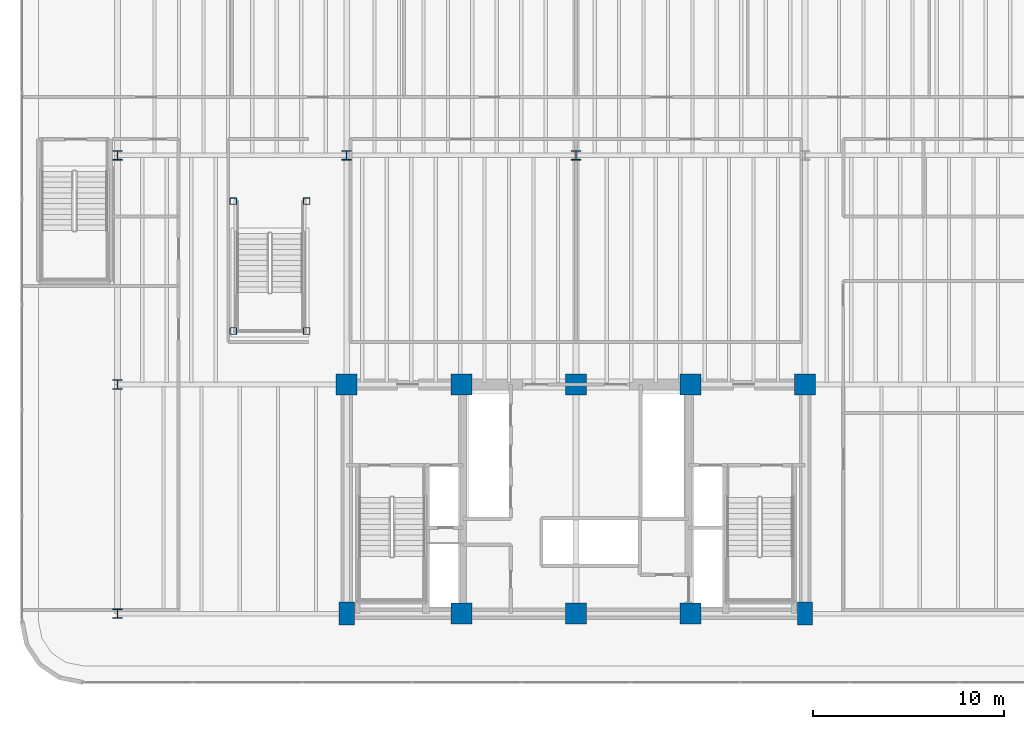
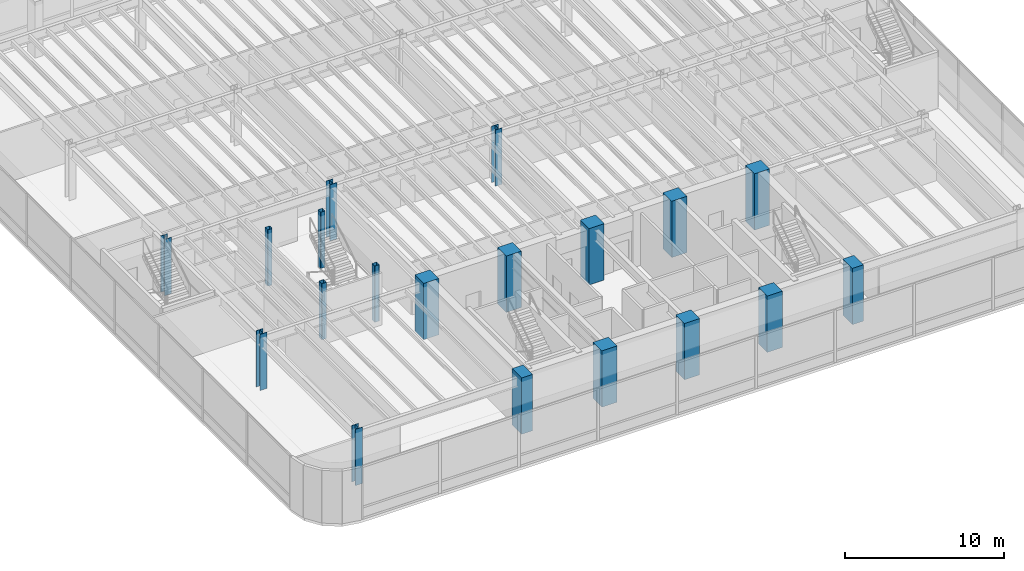
# One storey, part 1 of 18: 19 columns.
"""IFC4 building model written with IfcOpenShell, lengths in metres."""

import ifcopenshell
import ifcopenshell.guid

model = None  # the IFC model being written
_history = None  # IfcOwnerHistory: only IFC2X3 demands one
_inside = {}  # id of a spatial element -> (the spatial element, [elements in it])
_under = {}  # id of a project, library or spatial element -> (it, [spatial elements below it])
_declared = {}  # id of a project -> (the project, [libraries it declares])
_typed = {}  # id of a type object -> (the type object, [elements of that type])
_made_of = {}  # id of a material, layer set ... -> (it, [elements and type objects made of it])


def new_model(schema):
    """Start an empty IFC model of exactly this schema.

    Asked for "IFC4X3", IfcOpenShell would pick the latest addendum, in which some entities
    have other attributes; the version numbers below select the first issue.
    IFC2X3 requires an IfcOwnerHistory on every rooted entity: one is made here for all.
    """
    global model, _history
    if schema == "IFC4X3":
        model = ifcopenshell.file(schema_version=(4, 3, 0, 0))
    else:
        model = ifcopenshell.file(schema=schema)
    _inside.clear()
    _under.clear()
    _declared.clear()
    _typed.clear()
    _made_of.clear()
    _history = None
    if model.schema == "IFC2X3":
        org = make("IfcOrganization", Name="unknown")
        user = make(
            "IfcPersonAndOrganization",
            ThePerson=make("IfcPerson", FamilyName="unknown"),
            TheOrganization=org,
        )
        app = make(
            "IfcApplication",
            ApplicationDeveloper=org,
            Version="unknown",
            ApplicationFullName="unknown",
            ApplicationIdentifier="unknown",
        )
        _history = make(
            "IfcOwnerHistory",
            OwningUser=user,
            OwningApplication=app,
            ChangeAction="ADDED",
            CreationDate=0,
        )
    return model


def make(cls, **values):
    """One entity of the class cls with the attributes given. An attribute that is None is left unset."""
    return model.create_entity(
        cls, **{name: value for name, value in values.items() if value is not None}
    )


def rooted(cls, **values):
    """An entity with a GlobalId (a new one), such as an element, a storey or a relation."""
    return make(cls, GlobalId=ifcopenshell.guid.new(), OwnerHistory=_history, **values)


def si_unit(unit_type, name, prefix=None):
    """IfcSIUnit, for example si_unit("LENGTHUNIT", "METRE", prefix="MILLI")."""
    return make("IfcSIUnit", UnitType=unit_type, Prefix=prefix, Name=name)


def assignment(units):
    """IfcUnitAssignment: the units of a project."""
    return None if units is None else make("IfcUnitAssignment", Units=units)


def point(xyz):
    """IfcCartesianPoint."""
    return None if xyz is None else make("IfcCartesianPoint", Coordinates=xyz)


def direction(xyz):
    """IfcDirection."""
    return None if xyz is None else make("IfcDirection", DirectionRatios=xyz)


def frame(location, z_axis=None, x_axis=None):
    """IfcAxis2Placement3D, a coordinate frame: its origin and axes. An axis left out is left unset."""
    return make(
        "IfcAxis2Placement3D",
        Location=point(location),
        Axis=direction(z_axis),
        RefDirection=direction(x_axis),
    )


def frame_2d(location, x_axis=None):
    """IfcAxis2Placement2D, a coordinate frame in the plane: its origin and x axis."""
    return make(
        "IfcAxis2Placement2D", Location=point(location), RefDirection=direction(x_axis)
    )


def origin():
    """The frame at (0, 0, 0) with its axes left unset."""
    return frame((0.0, 0.0, 0.0))


def origin_2d():
    """The frame at (0, 0) in the plane with its x axis left unset."""
    return frame_2d((0.0, 0.0))


def place(relative_to, where):
    """IfcLocalPlacement: puts the frame where relative to a parent placement (None: the world)."""
    return make(
        "IfcLocalPlacement", PlacementRelTo=relative_to, RelativePlacement=where
    )


def context(
    kind, dimensions, precision=None, world=None, true_north=None, identifier=None
):
    """IfcGeometricRepresentationContext, for example the 3D "Model" context."""
    return make(
        "IfcGeometricRepresentationContext",
        ContextIdentifier=identifier,
        ContextType=kind,
        CoordinateSpaceDimension=dimensions,
        Precision=precision,
        WorldCoordinateSystem=world,
        TrueNorth=true_north,
    )


def subcontext(parent, identifier, kind, view, scale=None):
    """IfcGeometricRepresentationSubContext, for example "Body" below "Model"."""
    return make(
        "IfcGeometricRepresentationSubContext",
        ContextIdentifier=identifier,
        ContextType=kind,
        ParentContext=parent,
        TargetScale=scale,
        TargetView=view,
    )


def project(units=None, contexts=None):
    """IfcProject with its units and contexts."""
    return rooted(
        "IfcProject",
        Name="project",
        RepresentationContexts=contexts,
        UnitsInContext=assignment(units),
    )


def spatial(cls, under=None, at=None, **own):
    """A site, building, storey or space (cls), placed at a placement, below another one or the project."""
    s = rooted(cls, ObjectPlacement=at, **own)
    if under is not None:
        _under.setdefault(under.id(), (under, []))[1].append(s)
    return s


def profile(cls, at=None, kind="AREA", **sizes):
    """A parametric profile (cls). Its sizes go by their IFC names, for example OverallWidth=200.0."""
    return make(cls, ProfileType=kind, Position=at, **sizes)


def rectangle(**sizes):
    """IfcRectangleProfileDef."""
    return profile("IfcRectangleProfileDef", **sizes)


def hollow_rectangle(**sizes):
    """IfcRectangleHollowProfileDef."""
    return profile("IfcRectangleHollowProfileDef", **sizes)


def i_section(**sizes):
    """IfcIShapeProfileDef."""
    return profile("IfcIShapeProfileDef", **sizes)


def extrude(swept, where, along, depth):
    """IfcExtrudedAreaSolid: the profile swept, set in the frame where, extruded along a direction by depth."""
    return make(
        "IfcExtrudedAreaSolid",
        SweptArea=swept,
        Position=where,
        ExtrudedDirection=direction(along),
        Depth=depth,
    )


def shape(context_of_items, identifier, shape_type, items):
    """IfcShapeRepresentation: the items that make up one representation, for example the "Body"."""
    return make(
        "IfcShapeRepresentation",
        ContextOfItems=context_of_items,
        RepresentationIdentifier=identifier,
        RepresentationType=shape_type,
        Items=items,
    )


def source(mapping_origin, context_of_items, identifier, shape_type, items):
    """IfcRepresentationMap: a shape defined once, which mapped items show again and again."""
    return make(
        "IfcRepresentationMap",
        MappingOrigin=mapping_origin,
        MappedRepresentation=shape(context_of_items, identifier, shape_type, items),
    )


def transform(
    local_origin,
    x_axis=None,
    y_axis=None,
    z_axis=None,
    scale=None,
    scale2=None,
    scale3=None,
    uniform=True,
):
    """IfcCartesianTransformationOperator3D, or its non-uniform kind. x_axis, y_axis, z_axis: its Axis1, 2, 3."""
    if uniform:
        return make(
            "IfcCartesianTransformationOperator3D",
            Axis1=direction(x_axis),
            Axis2=direction(y_axis),
            LocalOrigin=point(local_origin),
            Scale=scale,
            Axis3=direction(z_axis),
        )
    return make(
        "IfcCartesianTransformationOperator3DnonUniform",
        Axis1=direction(x_axis),
        Axis2=direction(y_axis),
        LocalOrigin=point(local_origin),
        Scale=scale,
        Axis3=direction(z_axis),
        Scale2=scale2,
        Scale3=scale3,
    )


def mapped(mapping_source, mapping_target):
    """IfcMappedItem: shows the shape of a source again, moved by a transform."""
    return make(
        "IfcMappedItem", MappingSource=mapping_source, MappingTarget=mapping_target
    )


def material(Name=None, Category=None):
    """IfcMaterial."""
    return make("IfcMaterial", Name=Name, Category=Category)


def material_profile(
    of_material, cross_section, Name=None, Category=None, Priority=None
):
    """IfcMaterialProfile: a cross section and its material."""
    return make(
        "IfcMaterialProfile",
        Name=Name,
        Material=of_material,
        Profile=cross_section,
        Priority=Priority,
        Category=Category,
    )


def profile_set(profiles, Name=None, composite=None):
    """IfcMaterialProfileSet."""
    return make(
        "IfcMaterialProfileSet",
        Name=Name,
        MaterialProfiles=profiles,
        CompositeProfile=composite,
    )


def made_of(thing, what):
    """Note that an element or type object is made of a material, layer set ...; save() writes the relation."""
    if what is not None:
        _made_of.setdefault(what.id(), (what, []))[1].append(thing)
    return thing


def type_object(cls, material=None, **own):
    """A type object (cls), such as IfcWallType, which elements share."""
    return made_of(rooted(cls, **own), material)


def element(
    cls,
    number,
    at=None,
    inside=None,
    cuts=None,
    type_object=None,
    material=None,
    context=None,
    identifier="Body",
    shape_type=None,
    held_by="IfcProductDefinitionShape",
    body=None,
    shapes=None,
    **own,
):
    """One element of the class cls, such as IfcWall. Its Tag is "e" and its number.

    at: its placement. inside: the storey or other place that contains it. cuts: it is an
    opening in that element (IfcRelVoidsElement). A single representation is given by context,
    identifier, shape_type and body (its items); several are given by shapes. held_by: the class
    of the entity that holds the representations. save() writes the other relations.
    """
    e = rooted(cls, Tag="e%d" % number, ObjectPlacement=at, **own)
    if body is not None:
        shapes = [shape(context, identifier, shape_type, body)]
    if shapes is not None:
        e.Representation = make(held_by, Representations=shapes)
    if inside is not None:
        _inside.setdefault(inside.id(), (inside, []))[1].append(e)
    if cuts is not None:
        rooted(
            "IfcRelVoidsElement", RelatingBuildingElement=cuts, RelatedOpeningElement=e
        )
    if type_object is not None:
        _typed.setdefault(type_object.id(), (type_object, []))[1].append(e)
    return made_of(e, material)


def aggregate(whole, parts):
    """IfcRelAggregates: a whole, such as a stair, and the parts it consists of."""
    return rooted("IfcRelAggregates", RelatingObject=whole, RelatedObjects=parts)


def save(model, path):
    """Write the relations noted so far, then the file.

    IfcRelAggregates (storeys below a building ...), IfcRelContainedInSpatialStructure (elements
    in a storey), IfcRelDefinesByType, IfcRelAssociatesMaterial and IfcRelDeclares: one each for
    every whole, place, type object, material and project.
    """
    for whole, parts in _under.values():
        aggregate(whole, parts)
    for where, things in _inside.values():
        rooted(
            "IfcRelContainedInSpatialStructure",
            RelatedElements=things,
            RelatingStructure=where,
        )
    for kind, things in _typed.values():
        rooted("IfcRelDefinesByType", RelatedObjects=things, RelatingType=kind)
    for what, things in _made_of.values():
        rooted("IfcRelAssociatesMaterial", RelatedObjects=things, RelatingMaterial=what)
    for by, libraries in _declared.values():
        rooted("IfcRelDeclares", RelatingContext=by, RelatedDefinitions=libraries)
    model.write(path)


model = new_model("IFC4")

# Units and contexts
model_context = context("Model", 3, precision=1e-05, world=origin(), true_north=direction((0.0, 1.0)))
body_context = subcontext(model_context, "Body", "Model", "MODEL_VIEW")
ifc_project = project(units=[si_unit("LENGTHUNIT", "METRE"), si_unit("AREAUNIT", "SQUARE_METRE"), si_unit("VOLUMEUNIT", "CUBIC_METRE"), si_unit("PLANEANGLEUNIT", "RADIAN"), si_unit("MASSUNIT", "GRAM", prefix="KILO")], contexts=[model_context])

# Site, building, storey
site_placement = place(None, origin())
site = spatial("IfcSite", under=ifc_project, at=site_placement, CompositionType="ELEMENT")
building_placement = place(site_placement, origin())
building = spatial("IfcBuilding", under=site, at=building_placement, Name="Brelvock Crest Care Tower", CompositionType="ELEMENT")
storey_placement = place(building_placement, frame((0.0, 0.0, 9.719970703125)))
storey = spatial("IfcBuildingStorey", under=building, at=storey_placement, Name="L02", CompositionType="ELEMENT", Elevation=9.719970703125)

# Columns
ifc_material_1 = material(Name="Concrete S80 (80 MPa)", Category="concrete")
ifc_material_profile_1 = material_profile(ifc_material_1, rectangle(XDim=0.800048828125, YDim=1.199951171875, at=origin_2d()), Name="RC800x1200")
ifc_profile_set_1 = profile_set([ifc_material_profile_1], Name="Concrete S80 (80 MPa)")
column_type_1 = type_object("IfcColumnType", Name="COL-RC5", PredefinedType="COLUMN", material=ifc_profile_set_1)
shared_shape_1 = source(origin(), body_context, "Body", "SweptSolid", [
    extrude(rectangle(XDim=0.800048828125, YDim=1.199951171875, at=origin_2d()), origin(), (0.0, 0.0, 1.0), 4.320068359375),
])
for number, where, z_axis, x_axis, name in (
    (1, (24.0, 6.0, 0.0), (0.0, 0.0, 1.0), (1.0, 0.0, 0.0), "L02 Core Column CC-01"),
    (2, (48.0, 6.0, 0.0), (0.0, 0.0, 1.0), (1.0, 0.0, 0.0), "L02 Core Column CC-05"),
):
    element("IfcColumn", number, at=place(storey_placement, frame(where, z_axis=z_axis, x_axis=x_axis)), inside=storey, type_object=column_type_1, Name=name, PredefinedType="COLUMN", context=body_context, shape_type="MappedRepresentation", body=[
        mapped(shared_shape_1, transform((0.0, 0.0, 0.0), x_axis=(1.0, 0.0, 0.0), y_axis=(0.0, 1.0, 0.0), z_axis=(0.0, 0.0, 1.0), scale=1.0)),
    ])
ifc_material_profile_2 = material_profile(ifc_material_1, rectangle(XDim=1.10009765625, YDim=1.10009765625, at=origin_2d()), Name="RC1100x1100")
ifc_profile_set_2 = profile_set([ifc_material_profile_2], Name="Concrete S80 (80 MPa)")
column_type_2 = type_object("IfcColumnType", Name="COL-RC1", PredefinedType="COLUMN", material=ifc_profile_set_2)
shared_shape_2 = source(origin(), body_context, "Body", "SweptSolid", [
    extrude(rectangle(XDim=1.10009765625, YDim=1.10009765625, at=origin_2d()), origin(), (0.0, 0.0, 1.0), 4.320068359375),
])
for number, where, z_axis, x_axis, name in (
    (3, (30.0, 6.0, 0.0), (0.0, 0.0, 1.0), (1.0, 0.0, 0.0), "L02 Core Column CC-02"),
    (4, (36.0, 6.0, 0.0), (0.0, 0.0, 1.0), (1.0, 0.0, 0.0), "L02 Core Column CC-03"),
    (5, (42.0, 6.0, 0.0), (0.0, 0.0, 1.0), (1.0, 0.0, 0.0), "L02 Core Column CC-04"),
    (6, (24.0, 18.0, 0.0), (0.0, 0.0, 1.0), (1.0, 0.0, 0.0), "L02 Core Column CC-06"),
    (7, (30.0, 18.0, 0.0), (0.0, 0.0, 1.0), (1.0, 0.0, 0.0), "L02 Core Column CC-07"),
    (8, (36.0, 18.0, 0.0), (0.0, 0.0, 1.0), (1.0, 0.0, 0.0), "L02 Core Column CC-08"),
    (9, (42.0, 18.0, 0.0), (0.0, 0.0, 1.0), (1.0, 0.0, 0.0), "L02 Core Column CC-09"),
    (10, (48.0, 18.0, 0.0), (0.0, 0.0, 1.0), (1.0, 0.0, 0.0), "L02 Core Column CC-10"),
):
    element("IfcColumn", number, at=place(storey_placement, frame(where, z_axis=z_axis, x_axis=x_axis)), inside=storey, type_object=column_type_2, Name=name, PredefinedType="COLUMN", context=body_context, shape_type="MappedRepresentation", body=[
        mapped(shared_shape_2, transform((0.0, 0.0, 0.0), x_axis=(1.0, 0.0, 0.0), y_axis=(0.0, 1.0, 0.0), z_axis=(0.0, 0.0, 1.0), scale=1.0)),
    ])
ifc_material_2 = material(Name="Steel Grade 350", Category="steel")
ifc_material_profile_3 = material_profile(ifc_material_2, hollow_rectangle(XDim=0.35009765625, YDim=0.35009765625, WallThickness=0.01611328125, OuterFilletRadius=0.031982421875, at=origin_2d()), Name="SHS350x350x16.0")
ifc_profile_set_3 = profile_set([ifc_material_profile_3], Name="Steel Grade 350")
column_type_3 = type_object("IfcColumnType", Name="COL-CR2", PredefinedType="COLUMN", material=ifc_profile_set_3)
shared_shape_3 = source(origin(), body_context, "Body", "SweptSolid", [
    extrude(hollow_rectangle(XDim=0.35009765625, YDim=0.35009765625, WallThickness=0.01611328125, OuterFilletRadius=0.031982421875, at=origin_2d()), origin(), (0.0, 0.0, 1.0), 4.320068359375),
])
for number, where, z_axis, x_axis, name in (
    (11, (18.06005859375, 20.800048828125, 0.0), (0.0, 0.0, 1.0), (1.0, 0.0, 0.0), "L02 Atrium Stair ST-5 Support Post SW"),
    (12, (21.89990234375, 20.800048828125, 0.0), (0.0, 0.0, 1.0), (1.0, 0.0, 0.0), "L02 Atrium Stair ST-5 Support Post SE"),
    (13, (18.06005859375, 27.60009765625, 0.0), (0.0, 0.0, 1.0), (1.0, 0.0, 0.0), "L02 Atrium Stair ST-5 Support Post NW"),
    (14, (21.89990234375, 27.60009765625, 0.0), (0.0, 0.0, 1.0), (1.0, 0.0, 0.0), "L02 Atrium Stair ST-5 Support Post NE"),
):
    element("IfcColumn", number, at=place(storey_placement, frame(where, z_axis=z_axis, x_axis=x_axis)), inside=storey, type_object=column_type_3, Name=name, PredefinedType="COLUMN", context=body_context, shape_type="MappedRepresentation", body=[
        mapped(shared_shape_3, transform((0.0, 0.0, 0.0), x_axis=(1.0, 0.0, 0.0), y_axis=(0.0, 1.0, 0.0), z_axis=(0.0, 0.0, 1.0), scale=1.0)),
    ])
ifc_material_profile_4 = material_profile(ifc_material_2, i_section(OverallWidth=0.5, OverallDepth=0.5, WebThickness=0.02197265625, FlangeThickness=0.034912109375, at=origin_2d()), Name="500WC340")
ifc_profile_set_4 = profile_set([ifc_material_profile_4], Name="Steel Grade 350")
column_type_4 = type_object("IfcColumnType", Name="COL-PC2", PredefinedType="COLUMN", material=ifc_profile_set_4)
shared_shape_4 = source(origin(), body_context, "Body", "SweptSolid", [
    extrude(i_section(OverallWidth=0.5, OverallDepth=0.5, WebThickness=0.02197265625, FlangeThickness=0.034912109375, at=origin_2d()), origin(), (0.0, 0.0, 1.0), 4.320068359375),
])
for number, where, z_axis, x_axis, name in (
    (15, (12.0, 6.0, 0.0), (0.0, 0.0, 1.0), (1.0, 0.0, 0.0), "L02 Podium Column PC-01"),
    (16, (12.0, 18.0, 0.0), (0.0, 0.0, 1.0), (1.0, 0.0, 0.0), "L02 Podium Column PC-03"),
    (17, (12.0, 30.0, 0.0), (0.0, 0.0, 1.0), (1.0, 0.0, 0.0), "L02 Podium Column PC-05"),
    (18, (24.0, 30.0, 0.0), (0.0, 0.0, 1.0), (1.0, 0.0, 0.0), "L02 Podium Column PC-06"),
    (19, (36.0, 30.0, 0.0), (0.0, 0.0, 1.0), (1.0, 0.0, 0.0), "L02 Podium Column PC-07"),
):
    element("IfcColumn", number, at=place(storey_placement, frame(where, z_axis=z_axis, x_axis=x_axis)), inside=storey, type_object=column_type_4, Name=name, PredefinedType="COLUMN", context=body_context, shape_type="MappedRepresentation", body=[
        mapped(shared_shape_4, transform((0.0, 0.0, 0.0), x_axis=(1.0, 0.0, 0.0), y_axis=(0.0, 1.0, 0.0), z_axis=(0.0, 0.0, 1.0), scale=1.0)),
    ])

save(model, "model.ifc")
